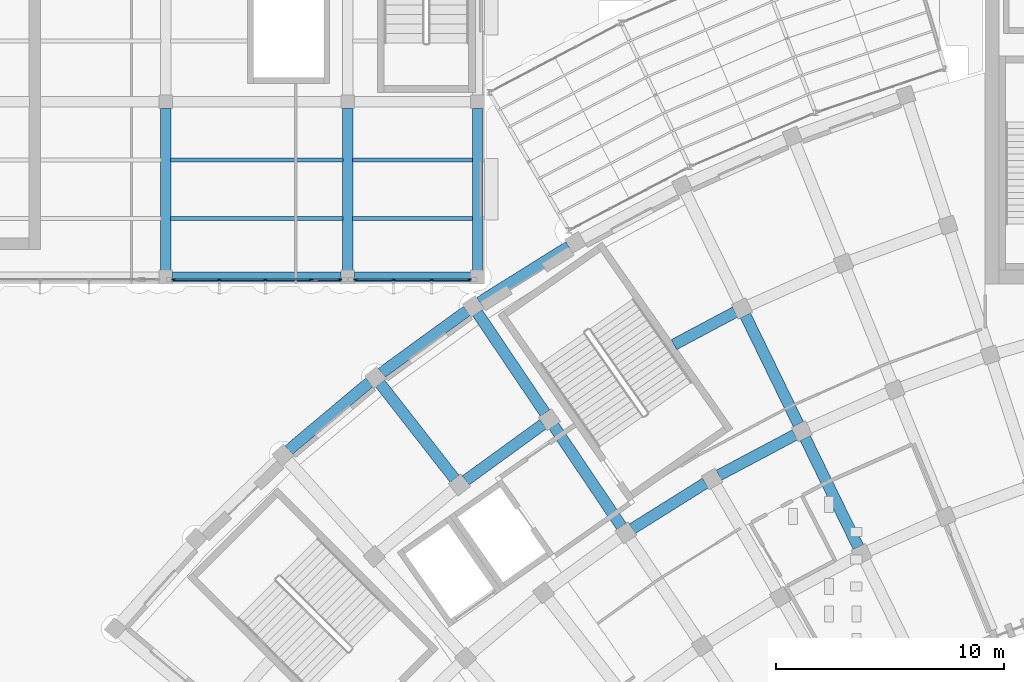
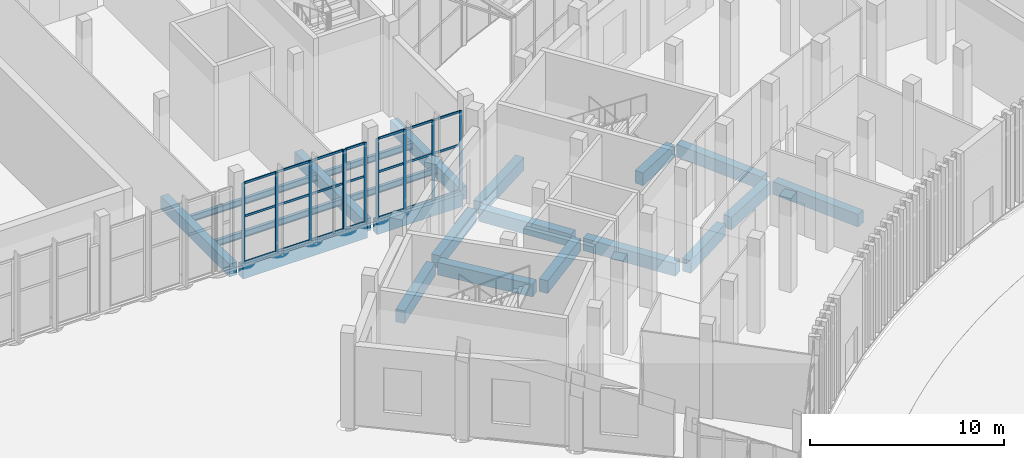
# One storey, part 26 of 155: 31 members, 21 beams, 3 elements without a shape of their own.
"""IFC4 building model written with IfcOpenShell, lengths in metres."""

from ifc_helpers import new_model, si_unit, direction, frame, origin, origin_2d, place, context, subcontext, project, spatial, rectangle, i_section, extrude, material, layer, layer_set, material_profile, profile_set, type_object, element, aggregate, save


model = new_model("IFC4")

# Units and contexts
model_context = context("Model", 3, precision=1e-05, world=origin(), true_north=direction((0.0, 1.0)))
body_context = subcontext(model_context, "Body", "Model", "MODEL_VIEW")
ifc_project = project(units=[si_unit("LENGTHUNIT", "METRE"), si_unit("AREAUNIT", "SQUARE_METRE"), si_unit("VOLUMEUNIT", "CUBIC_METRE"), si_unit("PLANEANGLEUNIT", "RADIAN"), si_unit("MASSUNIT", "GRAM", prefix="KILO")], contexts=[model_context])

# Site, building, storey
site_placement = place(None, origin())
site = spatial("IfcSite", under=ifc_project, at=site_placement, CompositionType="ELEMENT")
building_placement = place(site_placement, origin())
building = spatial("IfcBuilding", under=site, at=building_placement, Name="Lunette Opera House", CompositionType="ELEMENT")
storey_placement = place(building_placement, origin())
storey = spatial("IfcBuildingStorey", under=building, at=storey_placement, Name="L00", CompositionType="ELEMENT", Elevation=0.0)

# Curtain wall, members
ifc_material_1 = material(Name="Aluminium", Category="aluminium")
ifc_layer = layer(ifc_material_1, 0.179931640625)
ifc_layer_set = layer_set([ifc_layer], Name="Aluminium")
curtain_wall_type = type_object("IfcCurtainWallType", Name="SUN FACE CURTAIN WALL", PredefinedType="NOTDEFINED", material=ifc_layer_set)
curtain_wall_1_placement = place(storey_placement, origin())
curtain_wall_1 = element("IfcCurtainWall", 1, at=curtain_wall_1_placement, inside=storey, type_object=curtain_wall_type, Name="Sun Face Curtain Wall F17-2 L00", PredefinedType="NOTDEFINED")
ifc_material_2 = material(Name="Aluminium", Category="aluminium")
ifc_material_profile_1 = material_profile(ifc_material_2, rectangle(XDim=0.06005859375, YDim=0.179931640625, at=origin_2d()), Name="MULLION 60 X 180")
ifc_profile_set_1 = profile_set([ifc_material_profile_1], Name="Aluminium")
member_type_1 = type_object("IfcMemberType", Name="MULLION 60 X 180", PredefinedType="MULLION", material=ifc_profile_set_1)
member_1_placement = place(storey_placement, frame((40.360107421875, 64.18310546875, 0.0), z_axis=(0.0, 0.0, 1.0), x_axis=(0.0, 1.0, 0.0)))
member_1 = element("IfcMember", 2, at=member_1_placement, type_object=member_type_1, Name="RW-X2012 mullion 1", PredefinedType="MULLION", context=body_context, shape_type="SweptSolid", body=[
    extrude(rectangle(XDim=0.06005859375, YDim=0.179931640625, at=origin_2d()), origin(), (0.0, 0.0, 1.0), 5.050048828125),
])
member_2_placement = place(storey_placement, frame((42.351318359375, 64.18310546875, 0.0), z_axis=(0.0, 0.0, 1.0), x_axis=(0.0, 1.0, 0.0)))
member_2 = element("IfcMember", 3, at=member_2_placement, type_object=member_type_1, Name="RW-X2012 mullion 2", PredefinedType="MULLION", context=body_context, shape_type="SweptSolid", body=[
    extrude(rectangle(XDim=0.06005859375, YDim=0.179931640625, at=origin_2d()), origin(), (0.0, 0.0, 1.0), 5.050048828125),
])
member_3_placement = place(storey_placement, frame((44.37255859375, 64.18310546875, 0.0), z_axis=(0.0, 0.0, 1.0), x_axis=(0.0, 1.0, 0.0)))
member_3 = element("IfcMember", 4, at=member_3_placement, type_object=member_type_1, Name="RW-X2012 mullion 3", PredefinedType="MULLION", context=body_context, shape_type="SweptSolid", body=[
    extrude(rectangle(XDim=0.06005859375, YDim=0.179931640625, at=origin_2d()), origin(), (0.0, 0.0, 1.0), 5.050048828125),
])
member_4_placement = place(storey_placement, frame((46.364013671875, 64.18310546875, 0.0), z_axis=(0.0, 0.0, 1.0), x_axis=(0.0, 1.0, 0.0)))
member_4 = element("IfcMember", 5, at=member_4_placement, type_object=member_type_1, Name="RW-X2012 mullion 4", PredefinedType="MULLION", context=body_context, shape_type="SweptSolid", body=[
    extrude(rectangle(XDim=0.06005859375, YDim=0.179931640625, at=origin_2d()), origin(), (0.0, 0.0, 1.0), 5.050048828125),
])

curtain_wall_2_placement = place(storey_placement, origin())
curtain_wall_2 = element("IfcCurtainWall", 6, at=curtain_wall_2_placement, inside=storey, type_object=curtain_wall_type, Name="Sun Face Curtain Wall F18-1 L00", PredefinedType="NOTDEFINED")
member_5_placement = place(storey_placement, frame((46.424072265625, 64.18310546875, 0.0), z_axis=(0.0, 0.0, 1.0), x_axis=(0.0, 1.0, 0.0)))
member_5 = element("IfcMember", 7, at=member_5_placement, type_object=member_type_1, Name="RW-X2013 mullion 1", PredefinedType="MULLION", context=body_context, shape_type="SweptSolid", body=[
    extrude(rectangle(XDim=0.06005859375, YDim=0.179931640625, at=origin_2d()), origin(), (0.0, 0.0, 1.0), 5.050048828125),
])
member_6_placement = place(storey_placement, frame((47.639892578125, 64.18310546875, 0.0), z_axis=(0.0, 0.0, 1.0), x_axis=(0.0, 1.0, 0.0)))
member_6 = element("IfcMember", 8, at=member_6_placement, type_object=member_type_1, Name="RW-X2013 mullion 2", PredefinedType="MULLION", context=body_context, shape_type="SweptSolid", body=[
    extrude(rectangle(XDim=0.06005859375, YDim=0.179931640625, at=origin_2d()), origin(), (0.0, 0.0, 1.0), 5.050048828125),
])

curtain_wall_3_placement = place(storey_placement, origin())
curtain_wall_3 = element("IfcCurtainWall", 9, at=curtain_wall_3_placement, inside=storey, type_object=curtain_wall_type, Name="Sun Face Curtain Wall F18-2 L00", PredefinedType="NOTDEFINED")
member_7_placement = place(storey_placement, frame((48.360107421875, 64.18310546875, 0.0), z_axis=(0.0, 0.0, 1.0), x_axis=(0.0, 1.0, 0.0)))
member_7 = element("IfcMember", 10, at=member_7_placement, type_object=member_type_1, Name="RW-X2014 mullion 1", PredefinedType="MULLION", context=body_context, shape_type="SweptSolid", body=[
    extrude(rectangle(XDim=0.06005859375, YDim=0.179931640625, at=origin_2d()), origin(), (0.0, 0.0, 1.0), 5.050048828125),
])
member_8_placement = place(storey_placement, frame((50.010009765625, 64.18310546875, 0.0), z_axis=(0.0, 0.0, 1.0), x_axis=(0.0, 1.0, 0.0)))
member_8 = element("IfcMember", 11, at=member_8_placement, type_object=member_type_1, Name="RW-X2014 mullion 2", PredefinedType="MULLION", context=body_context, shape_type="SweptSolid", body=[
    extrude(rectangle(XDim=0.06005859375, YDim=0.179931640625, at=origin_2d()), origin(), (0.0, 0.0, 1.0), 5.050048828125),
])
member_9_placement = place(storey_placement, frame((51.68994140625, 64.18310546875, 0.0), z_axis=(0.0, 0.0, 1.0), x_axis=(0.0, 1.0, 0.0)))
member_9 = element("IfcMember", 12, at=member_9_placement, type_object=member_type_1, Name="RW-X2014 mullion 3", PredefinedType="MULLION", context=body_context, shape_type="SweptSolid", body=[
    extrude(rectangle(XDim=0.06005859375, YDim=0.179931640625, at=origin_2d()), origin(), (0.0, 0.0, 1.0), 5.050048828125),
])
member_10_placement = place(storey_placement, frame((53.340087890625, 64.18310546875, 0.0), z_axis=(0.0, 0.0, 1.0), x_axis=(0.0, 1.0, 0.0)))
member_10 = element("IfcMember", 13, at=member_10_placement, type_object=member_type_1, Name="RW-X2014 mullion 4", PredefinedType="MULLION", context=body_context, shape_type="SweptSolid", body=[
    extrude(rectangle(XDim=0.06005859375, YDim=0.179931640625, at=origin_2d()), origin(), (0.0, 0.0, 1.0), 5.050048828125),
])

# Beams
ifc_material_3 = material(Name="Concrete C35/45", Category="concrete")
ifc_material_profile_2 = material_profile(ifc_material_3, rectangle(XDim=0.449951171875, YDim=0.800048828125, at=origin_2d()), Name="RC BEAM 450X800")
ifc_profile_set_2 = profile_set([ifc_material_profile_2], Name="Concrete C35/45")
beam_type_1 = type_object("IfcBeamType", Name="RC BEAM 450X800", PredefinedType="BEAM", material=ifc_profile_set_2)
for number, where, z_axis, x_axis, name in (
    (14, (40.0, 64.590087890625, -0.550048828125), (0.0, 1.0, 0.0), (-1.0, 0.0, 0.0), "beam-RW-L00-L00-GY40"),
    (15, (48.0, 64.590087890625, -0.550048828125), (0.0, 1.0, 0.0), (-1.0, 0.0, 0.0), "beam-RW-L00-L00-GY50"),
    (16, (53.699951171875, 64.590087890625, -0.550048828125), (0.0, 1.0, 0.0), (-1.0, 0.0, 0.0), "beam-RW-L00-L00-GY60"),
):
    element("IfcBeam", number, at=place(storey_placement, frame(where, z_axis=z_axis, x_axis=x_axis)), inside=storey, type_object=beam_type_1, Name=name, PredefinedType="BEAM", context=body_context, shape_type="SweptSolid", body=[
        extrude(rectangle(XDim=0.449951171875, YDim=0.800048828125, at=origin_2d()), origin(), (0.0, 0.0, 1.0), 7.119873046875),
    ])
beam_1_placement = place(storey_placement, frame((40.2900390625, 64.300048828125, -0.550048828125), z_axis=(1.0, 0.0, 0.0), x_axis=(0.0, 1.0, 0.0)))
element("IfcBeam", 17, at=beam_1_placement, inside=storey, type_object=beam_type_1, Name="beam-RW-L00-L00-GX40", PredefinedType="BEAM", context=body_context, shape_type="SweptSolid", body=[
    extrude(rectangle(XDim=0.449951171875, YDim=0.800048828125, at=origin_2d()), origin(), (0.0, 0.0, 1.0), 7.419921875),
])
beam_2_placement = place(storey_placement, frame((48.2900390625, 64.300048828125, -0.550048828125), z_axis=(1.0, 0.0, 0.0), x_axis=(0.0, 1.0, 0.0)))
element("IfcBeam", 18, at=beam_2_placement, inside=storey, type_object=beam_type_1, Name="beam-RW-L00-L00-GX50", PredefinedType="BEAM", context=body_context, shape_type="SweptSolid", body=[
    extrude(rectangle(XDim=0.449951171875, YDim=0.800048828125, at=origin_2d()), origin(), (0.0, 0.0, 1.0), 5.119873046875),
])
ifc_material_4 = material(Name="Concrete C35/45", Category="concrete")
ifc_material_profile_3 = material_profile(ifc_material_4, rectangle(XDim=0.5, YDim=0.800048828125, at=origin_2d()), Name="RC BEAM 500X800")
ifc_profile_set_3 = profile_set([ifc_material_profile_3], Name="Concrete C35/45")
beam_type_2 = type_object("IfcBeamType", Name="RC BEAM 500X800", PredefinedType="BEAM", material=ifc_profile_set_3)
beam_3_placement = place(storey_placement, frame((52.694091796875, 55.428955078125, -0.6201171875), z_axis=(-0.615648494847, 0.788020894896, 0.0), x_axis=(-0.788020894896, -0.615648494847, 0.0)))
element("IfcBeam", 19, at=beam_3_placement, inside=storey, type_object=beam_type_2, Name="beam-FC-L00-L00-RB-RL-04-4", PredefinedType="BEAM", context=body_context, shape_type="SweptSolid", body=[
    extrude(rectangle(XDim=0.5, YDim=0.800048828125, at=origin_2d()), origin(), (0.0, 0.0, 1.0), 5.31982421875),
])
beam_4_placement = place(storey_placement, frame((60.02197265625, 53.340087890625, -0.6201171875), z_axis=(-0.559150470636, 0.829066192284, 0.0), x_axis=(-0.829066192284, -0.559150470636, 0.0)))
element("IfcBeam", 20, at=beam_4_placement, inside=storey, type_object=beam_type_2, Name="beam-FC-L00-L00-RB-RL-05-3", PredefinedType="BEAM", context=body_context, shape_type="SweptSolid", body=[
    extrude(rectangle(XDim=0.5, YDim=0.800048828125, at=origin_2d()), origin(), (0.0, 0.0, 1.0), 5.3203125),
])
beam_5_placement = place(storey_placement, frame((56.666015625, 58.31494140625, -0.6201171875), z_axis=(-0.559245834689, 0.829001867539, 0.0), x_axis=(-0.829001867539, -0.559245834689, 0.0)))
element("IfcBeam", 21, at=beam_5_placement, inside=storey, type_object=beam_type_2, Name="beam-FC-L00-L00-RB-RL-05-4", PredefinedType="BEAM", context=body_context, shape_type="SweptSolid", body=[
    extrude(rectangle(XDim=0.5, YDim=0.800048828125, at=origin_2d()), origin(), (0.0, 0.0, 1.0), 5.31982421875),
])
beam_6_placement = place(storey_placement, frame((70.425048828125, 52.43603515625, -0.6201171875), z_axis=(-0.438398312975, 0.898780795957, 0.0), x_axis=(-0.898780795957, -0.438398312975, 0.0)))
element("IfcBeam", 22, at=beam_6_placement, inside=storey, type_object=beam_type_2, Name="beam-FC-L00-L00-RB-RL-07-2", PredefinedType="BEAM", context=body_context, shape_type="SweptSolid", body=[
    extrude(rectangle(XDim=0.5, YDim=0.800048828125, at=origin_2d()), origin(), (0.0, 0.0, 1.0), 5.3193359375),
])
beam_7_placement = place(storey_placement, frame((67.794921875, 57.827880859375, -0.6201171875), z_axis=(-0.438307908837, 0.898824886756, 0.0), x_axis=(-0.898824886756, -0.438307908837, 0.0)))
element("IfcBeam", 23, at=beam_7_placement, inside=storey, type_object=beam_type_2, Name="beam-FC-L00-L00-RB-RL-07-3", PredefinedType="BEAM", context=body_context, shape_type="SweptSolid", body=[
    extrude(rectangle(XDim=0.5, YDim=0.800048828125, at=origin_2d()), origin(), (0.0, 0.0, 1.0), 5.320556640625),
])
beam_8_placement = place(storey_placement, frame((60.5, 53.238037109375, -0.6201171875), z_axis=(0.847925878507, 0.530114803187, 0.0), x_axis=(-0.530114803187, 0.847925878507, 0.0)))
element("IfcBeam", 24, at=beam_8_placement, inside=storey, type_object=beam_type_2, Name="beam-FC-L00-L00-RG-AR-B-RL-05", PredefinedType="BEAM", context=body_context, shape_type="SweptSolid", body=[
    extrude(rectangle(XDim=0.5, YDim=0.800048828125, at=origin_2d()), origin(), (0.0, 0.0, 1.0), 3.7880859375),
])
beam_9_placement = place(storey_placement, frame((64.300048828125, 55.5859375, -0.6201171875), z_axis=(0.883049767383, 0.469279349988, 0.0), x_axis=(-0.469279349988, 0.883049767383, 0.0)))
element("IfcBeam", 25, at=beam_9_placement, inside=storey, type_object=beam_type_2, Name="beam-FC-L00-L00-RG-AR-B-RL-06", PredefinedType="BEAM", context=body_context, shape_type="SweptSolid", body=[
    extrude(rectangle(XDim=0.5, YDim=0.800048828125, at=origin_2d()), origin(), (0.0, 0.0, 1.0), 3.786865234375),
])
beam_10_placement = place(storey_placement, frame((53.178955078125, 55.361083984375, -0.6201171875), z_axis=(0.8089996052, 0.587809185694, 0.0), x_axis=(-0.587809185694, 0.8089996052, 0.0)))
element("IfcBeam", 26, at=beam_10_placement, inside=storey, type_object=beam_type_2, Name="beam-FC-L00-L00-RG-AR-M2-RL-04", PredefinedType="BEAM", context=body_context, shape_type="SweptSolid", body=[
    extrude(rectangle(XDim=0.5, YDim=0.800048828125, at=origin_2d()), origin(), (0.0, 0.0, 1.0), 4.205322265625),
])
beam_11_placement = place(storey_placement, frame((62.324951171875, 61.325927734375, -0.6201171875), z_axis=(0.882889359825, 0.469581066811, 0.0), x_axis=(-0.469581066811, 0.882889359825, 0.0)))
element("IfcBeam", 27, at=beam_11_placement, inside=storey, type_object=beam_type_2, Name="beam-FC-L00-L00-RG-AR-M2-RL-06", PredefinedType="BEAM", context=body_context, shape_type="SweptSolid", body=[
    extrude(rectangle(XDim=0.5, YDim=0.800048828125, at=origin_2d()), origin(), (0.0, 0.0, 1.0), 3.045654296875),
])
beam_12_placement = place(storey_placement, frame((45.406982421875, 56.697998046875, -0.6201171875), z_axis=(0.766061536692, 0.64276723781, 0.0), x_axis=(-0.64276723781, 0.766061536692, 0.0)))
element("IfcBeam", 28, at=beam_12_placement, inside=storey, type_object=beam_type_2, Name="beam-FC-L00-L00-RG-AR-C-RL-03", PredefinedType="BEAM", context=body_context, shape_type="SweptSolid", body=[
    extrude(rectangle(XDim=0.5, YDim=0.800048828125, at=origin_2d()), origin(), (0.0, 0.0, 1.0), 4.62353515625),
])
for number, where, z_axis, x_axis, name in (
    (29, (49.485107421875, 60.089111328125, -0.6201171875), (0.809037359893, 0.58775722054, 0.0), (-0.58775722054, 0.809037359893, 0.0), "beam-FC-L00-L00-RG-AR-C-RL-04"),
    (30, (53.7900390625, 63.18701171875, -0.6201171875), (0.847962706809, 0.530055891261, 0.0), (-0.530055891261, 0.847962706809, 0.0), "beam-FC-L00-L00-RG-AR-C-RL-05"),
):
    element("IfcBeam", number, at=place(storey_placement, frame(where, z_axis=z_axis, x_axis=x_axis)), inside=storey, type_object=beam_type_2, Name=name, PredefinedType="BEAM", context=body_context, shape_type="SweptSolid", body=[
        extrude(rectangle(XDim=0.5, YDim=0.800048828125, at=origin_2d()), origin(), (0.0, 0.0, 1.0), 4.6240234375),
    ])
ifc_material_5 = material(Name="Steel S355", Category="steel")
ifc_material_profile_4 = material_profile(ifc_material_5, i_section(OverallWidth=0.179931640625, OverallDepth=0.39990234375, WebThickness=0.008544921875, FlangeThickness=0.013427734375, FilletRadius=0.02099609375, at=origin_2d()), Name="IPE 400")
ifc_profile_set_4 = profile_set([ifc_material_profile_4], Name="Steel S355")
beam_type_3 = type_object("IfcBeamType", Name="STEEL BEAM IPE 400", PredefinedType="BEAM", material=ifc_profile_set_4)
for number, where, z_axis, x_axis, name in (
    (31, (40.215087890625, 66.866943359375, -0.35009765625), (1.0, 0.0, 0.0), (0.0, 1.0, 0.0), "beam-RW-L00-L00-SX401"),
    (32, (40.215087890625, 69.43310546875, -0.35009765625), (1.0, 0.0, 0.0), (0.0, 1.0, 0.0), "beam-RW-L00-L00-SX402"),
):
    element("IfcBeam", number, at=place(storey_placement, frame(where, z_axis=z_axis, x_axis=x_axis)), inside=storey, type_object=beam_type_3, Name=name, PredefinedType="BEAM", context=body_context, shape_type="SweptSolid", body=[
        extrude(i_section(OverallWidth=0.179931640625, OverallDepth=0.39990234375, WebThickness=0.008544921875, FlangeThickness=0.013427734375, FilletRadius=0.02099609375, at=origin_2d()), origin(), (0.0, 0.0, 1.0), 7.56982421875),
    ])
for number, where, z_axis, x_axis, name in (
    (33, (48.215087890625, 66.866943359375, -0.35009765625), (1.0, 0.0, 0.0), (0.0, 1.0, 0.0), "beam-RW-L00-L00-SX501"),
    (34, (48.215087890625, 69.43310546875, -0.35009765625), (1.0, 0.0, 0.0), (0.0, 1.0, 0.0), "beam-RW-L00-L00-SX502"),
):
    element("IfcBeam", number, at=place(storey_placement, frame(where, z_axis=z_axis, x_axis=x_axis)), inside=storey, type_object=beam_type_3, Name=name, PredefinedType="BEAM", context=body_context, shape_type="SweptSolid", body=[
        extrude(i_section(OverallWidth=0.179931640625, OverallDepth=0.39990234375, WebThickness=0.008544921875, FlangeThickness=0.013427734375, FilletRadius=0.02099609375, at=origin_2d()), origin(), (0.0, 0.0, 1.0), 5.27001953125),
    ])

# Member
ifc_material_6 = material(Name="Aluminium", Category="aluminium")
ifc_material_profile_5 = material_profile(ifc_material_6, rectangle(XDim=0.06005859375, YDim=0.139892578125, at=origin_2d()), Name="TRANSOM 60 X 140")
ifc_profile_set_5 = profile_set([ifc_material_profile_5], Name="Aluminium")
member_type_2 = type_object("IfcMemberType", Name="TRANSOM 60 X 140", PredefinedType="USERDEFINED", material=ifc_profile_set_5)
member_11_placement = place(storey_placement, frame((40.389892578125, 64.18310546875, 0.030029296875), z_axis=(1.0, 0.0, 0.0), x_axis=(0.0, 1.0, 0.0)))
member_11 = element("IfcMember", 35, at=member_11_placement, type_object=member_type_2, Name="RW-X2012 transom 1.1", ObjectType="TRANSOM", PredefinedType="USERDEFINED", context=body_context, shape_type="SweptSolid", body=[
    extrude(rectangle(XDim=0.06005859375, YDim=0.139892578125, at=origin_2d()), origin(), (0.0, 0.0, 1.0), 1.931396484375),
])

member_12_placement = place(storey_placement, frame((40.389892578125, 64.18310546875, 2.925048828125), z_axis=(1.0, 0.0, 0.0), x_axis=(0.0, 1.0, 0.0)))
member_12 = element("IfcMember", 36, at=member_12_placement, type_object=member_type_2, Name="RW-X2012 transom 1.2", ObjectType="TRANSOM", PredefinedType="USERDEFINED", context=body_context, shape_type="SweptSolid", body=[
    extrude(rectangle(XDim=0.06005859375, YDim=0.139892578125, at=origin_2d()), origin(), (0.0, 0.0, 1.0), 1.931396484375),
])

member_13_placement = place(storey_placement, frame((40.389892578125, 64.18310546875, 5.02001953125), z_axis=(1.0, 0.0, 0.0), x_axis=(0.0, 1.0, 0.0)))
member_13 = element("IfcMember", 37, at=member_13_placement, type_object=member_type_2, Name="RW-X2012 transom 1.3", ObjectType="TRANSOM", PredefinedType="USERDEFINED", context=body_context, shape_type="SweptSolid", body=[
    extrude(rectangle(XDim=0.06005859375, YDim=0.139892578125, at=origin_2d()), origin(), (0.0, 0.0, 1.0), 1.931396484375),
])

member_14_placement = place(storey_placement, frame((42.38134765625, 64.18310546875, 0.030029296875), z_axis=(1.0, 0.0, 0.0), x_axis=(0.0, 1.0, 0.0)))
member_14 = element("IfcMember", 38, at=member_14_placement, type_object=member_type_2, Name="RW-X2012 transom 2.1", ObjectType="TRANSOM", PredefinedType="USERDEFINED", context=body_context, shape_type="SweptSolid", body=[
    extrude(rectangle(XDim=0.06005859375, YDim=0.139892578125, at=origin_2d()), origin(), (0.0, 0.0, 1.0), 1.96142578125),
])

member_15_placement = place(storey_placement, frame((42.38134765625, 64.18310546875, 2.925048828125), z_axis=(1.0, 0.0, 0.0), x_axis=(0.0, 1.0, 0.0)))
member_15 = element("IfcMember", 39, at=member_15_placement, type_object=member_type_2, Name="RW-X2012 transom 2.2", ObjectType="TRANSOM", PredefinedType="USERDEFINED", context=body_context, shape_type="SweptSolid", body=[
    extrude(rectangle(XDim=0.06005859375, YDim=0.139892578125, at=origin_2d()), origin(), (0.0, 0.0, 1.0), 1.96142578125),
])

member_16_placement = place(storey_placement, frame((42.38134765625, 64.18310546875, 5.02001953125), z_axis=(1.0, 0.0, 0.0), x_axis=(0.0, 1.0, 0.0)))
member_16 = element("IfcMember", 40, at=member_16_placement, type_object=member_type_2, Name="RW-X2012 transom 2.3", ObjectType="TRANSOM", PredefinedType="USERDEFINED", context=body_context, shape_type="SweptSolid", body=[
    extrude(rectangle(XDim=0.06005859375, YDim=0.139892578125, at=origin_2d()), origin(), (0.0, 0.0, 1.0), 1.96142578125),
])

member_17_placement = place(storey_placement, frame((44.402587890625, 64.18310546875, 0.030029296875), z_axis=(1.0, 0.0, 0.0), x_axis=(0.0, 1.0, 0.0)))
member_17 = element("IfcMember", 41, at=member_17_placement, type_object=member_type_2, Name="RW-X2012 transom 3.1", ObjectType="TRANSOM", PredefinedType="USERDEFINED", context=body_context, shape_type="SweptSolid", body=[
    extrude(rectangle(XDim=0.06005859375, YDim=0.139892578125, at=origin_2d()), origin(), (0.0, 0.0, 1.0), 1.931396484375),
])

member_18_placement = place(storey_placement, frame((44.402587890625, 64.18310546875, 2.925048828125), z_axis=(1.0, 0.0, 0.0), x_axis=(0.0, 1.0, 0.0)))
member_18 = element("IfcMember", 42, at=member_18_placement, type_object=member_type_2, Name="RW-X2012 transom 3.2", ObjectType="TRANSOM", PredefinedType="USERDEFINED", context=body_context, shape_type="SweptSolid", body=[
    extrude(rectangle(XDim=0.06005859375, YDim=0.139892578125, at=origin_2d()), origin(), (0.0, 0.0, 1.0), 1.931396484375),
])

member_19_placement = place(storey_placement, frame((44.402587890625, 64.18310546875, 5.02001953125), z_axis=(1.0, 0.0, 0.0), x_axis=(0.0, 1.0, 0.0)))
member_19 = element("IfcMember", 43, at=member_19_placement, type_object=member_type_2, Name="RW-X2012 transom 3.3", ObjectType="TRANSOM", PredefinedType="USERDEFINED", context=body_context, shape_type="SweptSolid", body=[
    extrude(rectangle(XDim=0.06005859375, YDim=0.139892578125, at=origin_2d()), origin(), (0.0, 0.0, 1.0), 1.931396484375),
])

aggregate(curtain_wall_1, [member_1, member_2, member_3, member_4, member_11, member_12, member_13, member_14, member_15, member_16, member_17, member_18, member_19])

member_20_placement = place(storey_placement, frame((46.4541015625, 64.18310546875, 0.030029296875), z_axis=(1.0, 0.0, 0.0), x_axis=(0.0, 1.0, 0.0)))
member_20 = element("IfcMember", 44, at=member_20_placement, type_object=member_type_2, Name="RW-X2013 transom 1.1", ObjectType="TRANSOM", PredefinedType="USERDEFINED", context=body_context, shape_type="SweptSolid", body=[
    extrude(rectangle(XDim=0.06005859375, YDim=0.139892578125, at=origin_2d()), origin(), (0.0, 0.0, 1.0), 1.156005859375),
])

member_21_placement = place(storey_placement, frame((46.4541015625, 64.18310546875, 2.925048828125), z_axis=(1.0, 0.0, 0.0), x_axis=(0.0, 1.0, 0.0)))
member_21 = element("IfcMember", 45, at=member_21_placement, type_object=member_type_2, Name="RW-X2013 transom 1.2", ObjectType="TRANSOM", PredefinedType="USERDEFINED", context=body_context, shape_type="SweptSolid", body=[
    extrude(rectangle(XDim=0.06005859375, YDim=0.139892578125, at=origin_2d()), origin(), (0.0, 0.0, 1.0), 1.156005859375),
])

member_22_placement = place(storey_placement, frame((46.4541015625, 64.18310546875, 5.02001953125), z_axis=(1.0, 0.0, 0.0), x_axis=(0.0, 1.0, 0.0)))
member_22 = element("IfcMember", 46, at=member_22_placement, type_object=member_type_2, Name="RW-X2013 transom 1.3", ObjectType="TRANSOM", PredefinedType="USERDEFINED", context=body_context, shape_type="SweptSolid", body=[
    extrude(rectangle(XDim=0.06005859375, YDim=0.139892578125, at=origin_2d()), origin(), (0.0, 0.0, 1.0), 1.156005859375),
])

aggregate(curtain_wall_2, [member_5, member_6, member_20, member_21, member_22])

member_23_placement = place(storey_placement, frame((48.389892578125, 64.18310546875, 0.030029296875), z_axis=(1.0, 0.0, 0.0), x_axis=(0.0, 1.0, 0.0)))
member_23 = element("IfcMember", 47, at=member_23_placement, type_object=member_type_2, Name="RW-X2014 transom 1.1", ObjectType="TRANSOM", PredefinedType="USERDEFINED", context=body_context, shape_type="SweptSolid", body=[
    extrude(rectangle(XDim=0.06005859375, YDim=0.139892578125, at=origin_2d()), origin(), (0.0, 0.0, 1.0), 1.590087890625),
])

member_24_placement = place(storey_placement, frame((48.389892578125, 64.18310546875, 2.925048828125), z_axis=(1.0, 0.0, 0.0), x_axis=(0.0, 1.0, 0.0)))
member_24 = element("IfcMember", 48, at=member_24_placement, type_object=member_type_2, Name="RW-X2014 transom 1.2", ObjectType="TRANSOM", PredefinedType="USERDEFINED", context=body_context, shape_type="SweptSolid", body=[
    extrude(rectangle(XDim=0.06005859375, YDim=0.139892578125, at=origin_2d()), origin(), (0.0, 0.0, 1.0), 1.590087890625),
])

member_25_placement = place(storey_placement, frame((48.389892578125, 64.18310546875, 5.02001953125), z_axis=(1.0, 0.0, 0.0), x_axis=(0.0, 1.0, 0.0)))
member_25 = element("IfcMember", 49, at=member_25_placement, type_object=member_type_2, Name="RW-X2014 transom 1.3", ObjectType="TRANSOM", PredefinedType="USERDEFINED", context=body_context, shape_type="SweptSolid", body=[
    extrude(rectangle(XDim=0.06005859375, YDim=0.139892578125, at=origin_2d()), origin(), (0.0, 0.0, 1.0), 1.590087890625),
])

member_26_placement = place(storey_placement, frame((50.0400390625, 64.18310546875, 0.030029296875), z_axis=(1.0, 0.0, 0.0), x_axis=(0.0, 1.0, 0.0)))
member_26 = element("IfcMember", 50, at=member_26_placement, type_object=member_type_2, Name="RW-X2014 transom 2.1", ObjectType="TRANSOM", PredefinedType="USERDEFINED", context=body_context, shape_type="SweptSolid", body=[
    extrude(rectangle(XDim=0.06005859375, YDim=0.139892578125, at=origin_2d()), origin(), (0.0, 0.0, 1.0), 1.619873046875),
])

member_27_placement = place(storey_placement, frame((50.0400390625, 64.18310546875, 2.925048828125), z_axis=(1.0, 0.0, 0.0), x_axis=(0.0, 1.0, 0.0)))
member_27 = element("IfcMember", 51, at=member_27_placement, type_object=member_type_2, Name="RW-X2014 transom 2.2", ObjectType="TRANSOM", PredefinedType="USERDEFINED", context=body_context, shape_type="SweptSolid", body=[
    extrude(rectangle(XDim=0.06005859375, YDim=0.139892578125, at=origin_2d()), origin(), (0.0, 0.0, 1.0), 1.619873046875),
])

member_28_placement = place(storey_placement, frame((50.0400390625, 64.18310546875, 5.02001953125), z_axis=(1.0, 0.0, 0.0), x_axis=(0.0, 1.0, 0.0)))
member_28 = element("IfcMember", 52, at=member_28_placement, type_object=member_type_2, Name="RW-X2014 transom 2.3", ObjectType="TRANSOM", PredefinedType="USERDEFINED", context=body_context, shape_type="SweptSolid", body=[
    extrude(rectangle(XDim=0.06005859375, YDim=0.139892578125, at=origin_2d()), origin(), (0.0, 0.0, 1.0), 1.619873046875),
])

member_29_placement = place(storey_placement, frame((51.719970703125, 64.18310546875, 0.030029296875), z_axis=(1.0, 0.0, 0.0), x_axis=(0.0, 1.0, 0.0)))
member_29 = element("IfcMember", 53, at=member_29_placement, type_object=member_type_2, Name="RW-X2014 transom 3.1", ObjectType="TRANSOM", PredefinedType="USERDEFINED", context=body_context, shape_type="SweptSolid", body=[
    extrude(rectangle(XDim=0.06005859375, YDim=0.139892578125, at=origin_2d()), origin(), (0.0, 0.0, 1.0), 1.590087890625),
])

member_30_placement = place(storey_placement, frame((51.719970703125, 64.18310546875, 2.925048828125), z_axis=(1.0, 0.0, 0.0), x_axis=(0.0, 1.0, 0.0)))
member_30 = element("IfcMember", 54, at=member_30_placement, type_object=member_type_2, Name="RW-X2014 transom 3.2", ObjectType="TRANSOM", PredefinedType="USERDEFINED", context=body_context, shape_type="SweptSolid", body=[
    extrude(rectangle(XDim=0.06005859375, YDim=0.139892578125, at=origin_2d()), origin(), (0.0, 0.0, 1.0), 1.590087890625),
])

member_31_placement = place(storey_placement, frame((51.719970703125, 64.18310546875, 5.02001953125), z_axis=(1.0, 0.0, 0.0), x_axis=(0.0, 1.0, 0.0)))
member_31 = element("IfcMember", 55, at=member_31_placement, type_object=member_type_2, Name="RW-X2014 transom 3.3", ObjectType="TRANSOM", PredefinedType="USERDEFINED", context=body_context, shape_type="SweptSolid", body=[
    extrude(rectangle(XDim=0.06005859375, YDim=0.139892578125, at=origin_2d()), origin(), (0.0, 0.0, 1.0), 1.590087890625),
])

aggregate(curtain_wall_3, [member_7, member_8, member_9, member_10, member_23, member_24, member_25, member_26, member_27, member_28, member_29, member_30, member_31])

save(model, "model.ifc")
